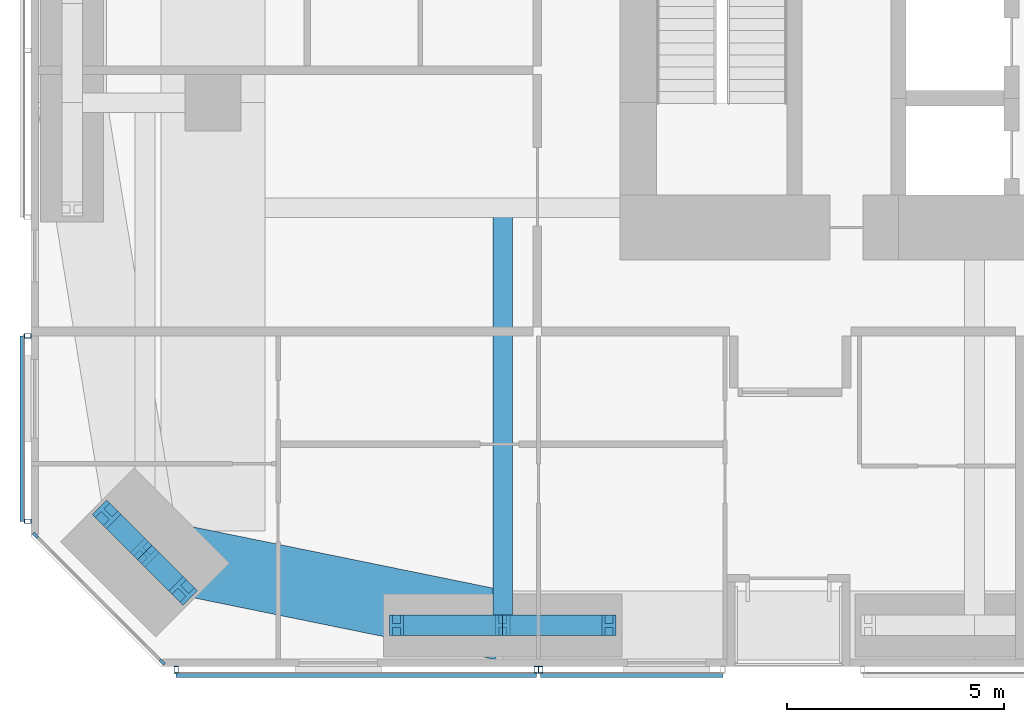
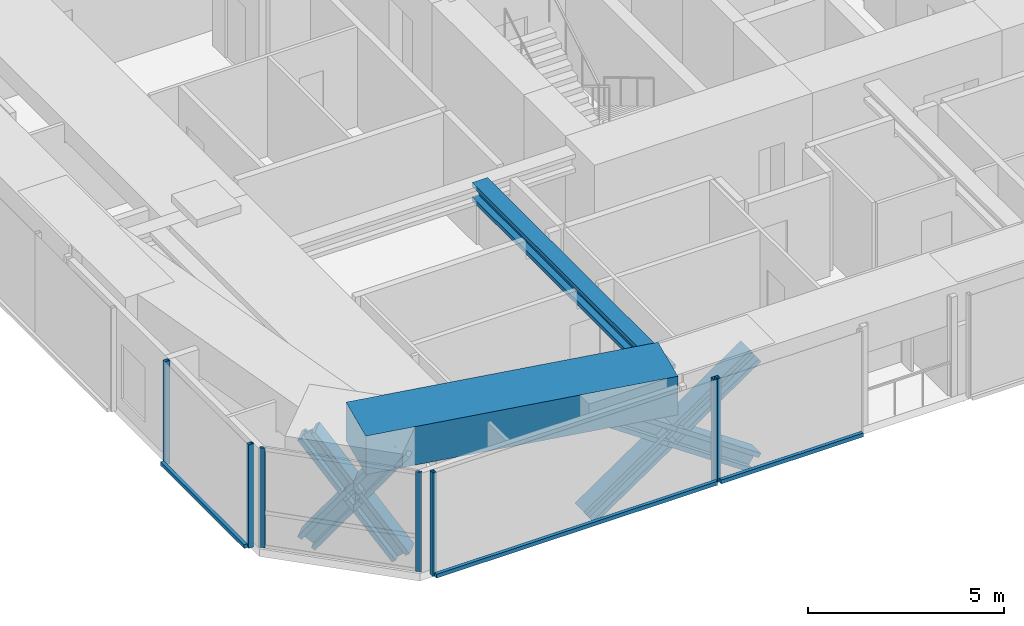
# One storey, part 2 of 25: 18 members, 2 beams, 4 elements without a shape of their own.
"""IFC4 building model written with IfcOpenShell, lengths in metres."""

from ifc_helpers import new_model, si_unit, direction, frame, origin, origin_2d, place, context, subcontext, project, spatial, rectangle, hollow_rectangle, i_section, extrude, material, material_profile, profile_set, type_object, element, aggregate, save


model = new_model("IFC4")

# Units and contexts
model_context = context("Model", 3, precision=1e-05, world=origin(), true_north=direction((0.0, 1.0)))
body_context = subcontext(model_context, "Body", "Model", "MODEL_VIEW")
ifc_project = project(units=[si_unit("LENGTHUNIT", "METRE"), si_unit("AREAUNIT", "SQUARE_METRE"), si_unit("VOLUMEUNIT", "CUBIC_METRE"), si_unit("PLANEANGLEUNIT", "RADIAN"), si_unit("MASSUNIT", "GRAM", prefix="KILO")], contexts=[model_context])

# Site, building, storey
site_placement = place(None, origin())
site = spatial("IfcSite", under=ifc_project, at=site_placement, CompositionType="ELEMENT")
building_placement = place(site_placement, origin())
building = spatial("IfcBuilding", under=site, at=building_placement, Name="Jalousie Tower", CompositionType="ELEMENT")
storey_placement = place(building_placement, frame((0.0, 0.0, 98.14990234375)))
storey = spatial("IfcBuildingStorey", under=building, at=storey_placement, Name="L26", CompositionType="ELEMENT", Elevation=98.14990234375)

# Curtain wall, members
ifc_material_1 = material(Name="Aluminium curtain wall", Category="aluminium")
curtain_wall_type_1 = type_object("IfcCurtainWallType", Name="CORNER WINDOW WALL", PredefinedType="USERDEFINED", material=ifc_material_1)
curtain_wall_1_placement = place(storey_placement, origin())
curtain_wall_1 = element("IfcCurtainWall", 1, at=curtain_wall_1_placement, inside=storey, type_object=curtain_wall_type_1, Name="Corner Window Wall L26 8", ObjectType="CORNER WINDOW WALL", PredefinedType="USERDEFINED")
ifc_material_2 = material(Name="Aluminium mullion", Category="aluminium")
ifc_material_profile_1 = material_profile(ifc_material_2, rectangle(XDim=0.06005859375, YDim=0.14990234375, at=origin_2d()), Name="MULLION 60x150")
ifc_profile_set_1 = profile_set([ifc_material_profile_1], Name="Aluminium mullion")
member_type_1 = type_object("IfcMemberType", Name="CORNER WINDOW WALL MULLION", PredefinedType="MULLION", material=ifc_profile_set_1)
member_1_placement = place(storey_placement, frame((6.108642578125, 3.030029296875, 0.0), z_axis=(0.0, 0.0, 1.0), x_axis=(0.707106781187, 0.707106781187, 0.0)))
member_1 = element("IfcMember", 2, at=member_1_placement, type_object=member_type_1, Name="CW-C mullion 1", PredefinedType="MULLION", context=body_context, shape_type="SweptSolid", body=[
    extrude(rectangle(XDim=0.06005859375, YDim=0.14990234375, at=origin_2d()), origin(), (0.0, 0.0, 1.0), 3.110107421875),
])
member_2_placement = place(storey_placement, frame((9.030029296875, 0.108642578125, 0.0), z_axis=(0.0, 0.0, 1.0), x_axis=(0.707106781187, 0.707106781187, 0.0)))
member_2 = element("IfcMember", 3, at=member_2_placement, type_object=member_type_1, Name="CW-C mullion 2", PredefinedType="MULLION", context=body_context, shape_type="SweptSolid", body=[
    extrude(rectangle(XDim=0.06005859375, YDim=0.14990234375, at=origin_2d()), origin(), (0.0, 0.0, 1.0), 3.110107421875),
])
aggregate(curtain_wall_1, [member_1, member_2])

# Beam
ifc_material_3 = material(Name="Steel ASTM A992 Grade 50", Category="steel")
ifc_material_profile_2 = material_profile(ifc_material_3, i_section(OverallWidth=0.45458984375, OverallDepth=0.569091796875, WebThickness=0.077880859375, FlangeThickness=0.124755859375, at=origin_2d()), Name="W14X730")
ifc_profile_set_2 = profile_set([ifc_material_profile_2], Name="Steel ASTM A992 Grade 50")
beam_type_1 = type_object("IfcBeamType", Name="LEAN COLLECTOR W14X730", PredefinedType="BEAM", material=ifc_profile_set_2)
beam_1_placement = place(storey_placement, frame((16.875, 0.949951171875, 2.82568359375), z_axis=(0.0, 1.0, 0.0), x_axis=(-1.0, 0.0, 0.0)))
element("IfcBeam", 4, at=beam_1_placement, inside=storey, type_object=beam_type_1, Name="Lean collector under L27", PredefinedType="BEAM", context=body_context, shape_type="SweptSolid", body=[
    extrude(i_section(OverallWidth=0.45458984375, OverallDepth=0.569091796875, WebThickness=0.077880859375, FlangeThickness=0.124755859375, at=origin_2d()), origin(), (0.0, 0.0, 1.0), 9.625),
])

# Members
ifc_material_4 = material(Name="Steel ASTM A992 Grade 50", Category="steel")
ifc_material_profile_3 = material_profile(ifc_material_4, i_section(OverallWidth=0.472412109375, OverallDepth=0.5791015625, WebThickness=0.094970703125, FlangeThickness=0.1298828125, at=origin_2d()), Name="W14X808")
ifc_profile_set_3 = profile_set([ifc_material_profile_3], Name="Steel ASTM A992 Grade 50")
member_type_2 = type_object("IfcMemberType", Name="PERIMETER BRACE W14X808", PredefinedType="BRACE", material=ifc_profile_set_3)
member_3_placement = place(storey_placement, frame((7.74755859375, 3.515380859375, -0.599853515625), z_axis=(0.422851718556, -0.422968528423, 0.801432497518), x_axis=(0.707204427637, 0.70700912125, 0.0)))
element("IfcMember", 5, at=member_3_placement, inside=storey, type_object=member_type_2, Name="Perimeter brace 01 L26 part 1", PredefinedType="BRACE", context=body_context, shape_type="SweptSolid", body=[
    extrude(i_section(OverallWidth=0.472412109375, OverallDepth=0.5791015625, WebThickness=0.094970703125, FlangeThickness=0.1298828125, at=origin_2d()), origin(), (0.0, 0.0, 1.0), 2.090087890625),
])
member_4_placement = place(storey_placement, frame((8.63134765625, 2.63134765625, 1.0751953125), z_axis=(0.423008127391, -0.422891306588, 0.801390708065), x_axis=(0.70700912125, 0.707204427637, 0.0)))
element("IfcMember", 6, at=member_4_placement, inside=storey, type_object=member_type_2, Name="Perimeter brace 01 L26 part 2", PredefinedType="BRACE", context=body_context, shape_type="SweptSolid", body=[
    extrude(i_section(OverallWidth=0.472412109375, OverallDepth=0.5791015625, WebThickness=0.094970703125, FlangeThickness=0.1298828125, at=origin_2d()), origin(), (0.0, 0.0, 1.0), 2.08984375),
])
member_5_placement = place(storey_placement, frame((9.515380859375, 1.74755859375, -0.599853515625), z_axis=(-0.422968528423, 0.422851718556, 0.801432497518), x_axis=(-0.70700912125, -0.707204427637, 0.0)))
element("IfcMember", 7, at=member_5_placement, inside=storey, type_object=member_type_2, Name="Perimeter brace 01 L26 part 3", PredefinedType="BRACE", context=body_context, shape_type="SweptSolid", body=[
    extrude(i_section(OverallWidth=0.472412109375, OverallDepth=0.5791015625, WebThickness=0.094970703125, FlangeThickness=0.1298828125, at=origin_2d()), origin(), (0.0, 0.0, 1.0), 2.090087890625),
])
member_6_placement = place(storey_placement, frame((8.63134765625, 2.63134765625, 1.0751953125), z_axis=(-0.422891306588, 0.423008127391, 0.801390708065), x_axis=(-0.707204427637, -0.70700912125, 0.0)))
element("IfcMember", 8, at=member_6_placement, inside=storey, type_object=member_type_2, Name="Perimeter brace 01 L26 part 4", PredefinedType="BRACE", context=body_context, shape_type="SweptSolid", body=[
    extrude(i_section(OverallWidth=0.472412109375, OverallDepth=0.5791015625, WebThickness=0.094970703125, FlangeThickness=0.1298828125, at=origin_2d()), origin(), (0.0, 0.0, 1.0), 2.08984375),
])
for number, where, z_axis, x_axis, name in (
    (9, (14.425048828125, 0.949951171875, -0.599853515625), (0.825500916831, 0.0, 0.564400776321), (0.0, 1.0, 0.0), "Perimeter brace 02 L26 part 1"),
    (10, (16.875, 0.949951171875, 1.0751953125), (0.825539243753, 0.0, 0.564344714713), (0.0, 1.0, 0.0), "Perimeter brace 02 L26 part 2"),
    (11, (19.324951171875, 0.949951171875, -0.599853515625), (-0.825500916831, 0.0, 0.564400776321), (0.0, -1.0, 0.0), "Perimeter brace 02 L26 part 3"),
    (12, (16.875, 0.949951171875, 1.0751953125), (-0.825539243753, 0.0, 0.564344714713), (0.0, -1.0, 0.0), "Perimeter brace 02 L26 part 4"),
):
    element("IfcMember", number, at=place(storey_placement, frame(where, z_axis=z_axis, x_axis=x_axis)), inside=storey, type_object=member_type_2, Name=name, PredefinedType="BRACE", context=body_context, shape_type="SweptSolid", body=[
        extrude(i_section(OverallWidth=0.472412109375, OverallDepth=0.5791015625, WebThickness=0.094970703125, FlangeThickness=0.1298828125, at=origin_2d()), origin(), (0.0, 0.0, 1.0), 2.9677734375),
    ])

# Beam
ifc_material_5 = material(Name="Concrete f'c 40 MPa", Category="concrete")
ifc_material_profile_4 = material_profile(ifc_material_5, rectangle(XDim=1.60009765625, YDim=1.199951171875, at=origin_2d()), Name="RC 1600x1200")
ifc_profile_set_4 = profile_set([ifc_material_profile_4], Name="Concrete f'c 40 MPa")
beam_type_2 = type_object("IfcBeamType", Name="RC BEAM 1600x1200", PredefinedType="BEAM", material=ifc_profile_set_4)
beam_2_placement = place(storey_placement, frame((8.63134765625, 2.63134765625, 2.75), z_axis=(0.97982690954, -0.199848010602, 0.0), x_axis=(0.199848010602, 0.97982690954, 0.0)))
element("IfcBeam", 13, at=beam_2_placement, inside=storey, type_object=beam_type_2, Name="Edge band beam 01-02 under L27", PredefinedType="BEAM", context=body_context, shape_type="SweptSolid", body=[
    extrude(rectangle(XDim=1.60009765625, YDim=1.199951171875, at=origin_2d()), origin(), (0.0, 0.0, 1.0), 8.413330078125),
])

# Curtain wall, members
ifc_material_6 = material(Name="Perforated aluminium sheet", Category="aluminium")
curtain_wall_type_2 = type_object("IfcCurtainWallType", Name="SOLAR SCREEN SS-1", PredefinedType="USERDEFINED", material=ifc_material_6)
curtain_wall_2_placement = place(storey_placement, origin())
curtain_wall_2 = element("IfcCurtainWall", 14, at=curtain_wall_2_placement, inside=storey, type_object=curtain_wall_type_2, Name="Solar screen L26", ObjectType="SOLAR SCREEN SS-1", PredefinedType="USERDEFINED")
ifc_material_7 = material(Name="Steel ASTM A500 Grade C", Category="steel")
ifc_material_profile_5 = material_profile(ifc_material_7, hollow_rectangle(XDim=0.1015625, YDim=0.15234375, WallThickness=0.00634765625, at=origin_2d()), Name="HSS6X4X1/4")
ifc_profile_set_5 = profile_set([ifc_material_profile_5], Name="Steel ASTM A500 Grade C")
member_type_3 = type_object("IfcMemberType", Name="SOLAR SCREEN SS-1 MULLION", PredefinedType="MULLION", material=ifc_profile_set_5)
member_7_placement = place(storey_placement, frame((9.351318359375, -0.0712890625, -0.119873046875), z_axis=(0.0, 0.0, 1.0), x_axis=(1.0, 0.0, 0.0)))
member_7 = element("IfcMember", 15, at=member_7_placement, type_object=member_type_3, Name="SS1 post 1", PredefinedType="MULLION", context=body_context, shape_type="SweptSolid", body=[
    extrude(hollow_rectangle(XDim=0.1015625, YDim=0.15234375, WallThickness=0.00634765625, at=origin_2d()), origin(), (0.0, 0.0, 1.0), 3.22998046875),
])
member_8_placement = place(storey_placement, frame((17.64990234375, -0.0712890625, -0.119873046875), z_axis=(0.0, 0.0, 1.0), x_axis=(1.0, 0.0, 0.0)))
member_8 = element("IfcMember", 16, at=member_8_placement, type_object=member_type_3, Name="SS1 post 2", PredefinedType="MULLION", context=body_context, shape_type="SweptSolid", body=[
    extrude(hollow_rectangle(XDim=0.1015625, YDim=0.15234375, WallThickness=0.00634765625, at=origin_2d()), origin(), (0.0, 0.0, 1.0), 3.22998046875),
])

# Curtain wall, member
curtain_wall_3_placement = place(storey_placement, origin())
curtain_wall_3 = element("IfcCurtainWall", 17, at=curtain_wall_3_placement, inside=storey, type_object=curtain_wall_type_2, Name="Solar screen L26", ObjectType="SOLAR SCREEN SS-1", PredefinedType="USERDEFINED")
member_9_placement = place(storey_placement, frame((17.75, -0.0712890625, -0.119873046875), z_axis=(0.0, 0.0, 1.0), x_axis=(1.0, 0.0, 0.0)))
member_9 = element("IfcMember", 18, at=member_9_placement, type_object=member_type_3, Name="SS1 post 1", PredefinedType="MULLION", context=body_context, shape_type="SweptSolid", body=[
    extrude(hollow_rectangle(XDim=0.1015625, YDim=0.15234375, WallThickness=0.00634765625, at=origin_2d()), origin(), (0.0, 0.0, 1.0), 3.22998046875),
])

# Curtain wall, members
curtain_wall_4_placement = place(storey_placement, origin())
curtain_wall_4 = element("IfcCurtainWall", 19, at=curtain_wall_4_placement, inside=storey, type_object=curtain_wall_type_2, Name="Solar screen L26", ObjectType="SOLAR SCREEN SS-1", PredefinedType="USERDEFINED")
member_10_placement = place(storey_placement, frame((5.9287109375, 7.625, -0.119873046875), z_axis=(0.0, 0.0, 1.0), x_axis=(0.0, -1.0, 0.0)))
member_10 = element("IfcMember", 20, at=member_10_placement, type_object=member_type_3, Name="SS1 post 1", PredefinedType="MULLION", context=body_context, shape_type="SweptSolid", body=[
    extrude(hollow_rectangle(XDim=0.1015625, YDim=0.15234375, WallThickness=0.00634765625, at=origin_2d()), origin(), (0.0, 0.0, 1.0), 3.22998046875),
])
member_11_placement = place(storey_placement, frame((5.9287109375, 3.351318359375, -0.119873046875), z_axis=(0.0, 0.0, 1.0), x_axis=(0.0, -1.0, 0.0)))
member_11 = element("IfcMember", 21, at=member_11_placement, type_object=member_type_3, Name="SS1 post 2", PredefinedType="MULLION", context=body_context, shape_type="SweptSolid", body=[
    extrude(hollow_rectangle(XDim=0.1015625, YDim=0.15234375, WallThickness=0.00634765625, at=origin_2d()), origin(), (0.0, 0.0, 1.0), 3.22998046875),
])

# Member
ifc_material_8 = material(Name="Extruded aluminium screen rail", Category="aluminium")
ifc_material_profile_6 = material_profile(ifc_material_8, rectangle(XDim=0.1015625, YDim=0.1201171875, at=origin_2d()), Name="RAIL 102x120")
ifc_profile_set_6 = profile_set([ifc_material_profile_6], Name="Extruded aluminium screen rail")
member_type_4 = type_object("IfcMemberType", Name="SOLAR SCREEN SS-1 TRANSOM", PredefinedType="USERDEFINED", material=ifc_profile_set_6)
member_12_placement = place(storey_placement, frame((9.351318359375, -0.1982421875, -0.059814453125), z_axis=(1.0, 0.0, 0.0), x_axis=(0.0, 1.0, 0.0)))
member_12 = element("IfcMember", 22, at=member_12_placement, type_object=member_type_4, Name="SS1 rail", ObjectType="TRANSOM", PredefinedType="USERDEFINED", context=body_context, shape_type="SweptSolid", body=[
    extrude(rectangle(XDim=0.1015625, YDim=0.1201171875, at=origin_2d()), origin(), (0.0, 0.0, 1.0), 8.298583984375),
])

aggregate(curtain_wall_2, [member_7, member_8, member_12])

member_13_placement = place(storey_placement, frame((17.75, -0.1982421875, -0.059814453125), z_axis=(1.0, 0.0, 0.0), x_axis=(0.0, 1.0, 0.0)))
member_13 = element("IfcMember", 23, at=member_13_placement, type_object=member_type_4, Name="SS1 rail", ObjectType="TRANSOM", PredefinedType="USERDEFINED", context=body_context, shape_type="SweptSolid", body=[
    extrude(rectangle(XDim=0.1015625, YDim=0.1201171875, at=origin_2d()), origin(), (0.0, 0.0, 1.0), 4.199951171875),
])

aggregate(curtain_wall_3, [member_9, member_13])

member_14_placement = place(storey_placement, frame((5.8017578125, 7.625, -0.059814453125), z_axis=(0.0, -1.0, 0.0), x_axis=(1.0, 0.0, 0.0)))
member_14 = element("IfcMember", 24, at=member_14_placement, type_object=member_type_4, Name="SS1 rail", ObjectType="TRANSOM", PredefinedType="USERDEFINED", context=body_context, shape_type="SweptSolid", body=[
    extrude(rectangle(XDim=0.1015625, YDim=0.1201171875, at=origin_2d()), origin(), (0.0, 0.0, 1.0), 4.273681640625),
])

aggregate(curtain_wall_4, [member_10, member_11, member_14])

save(model, "model.ifc")
